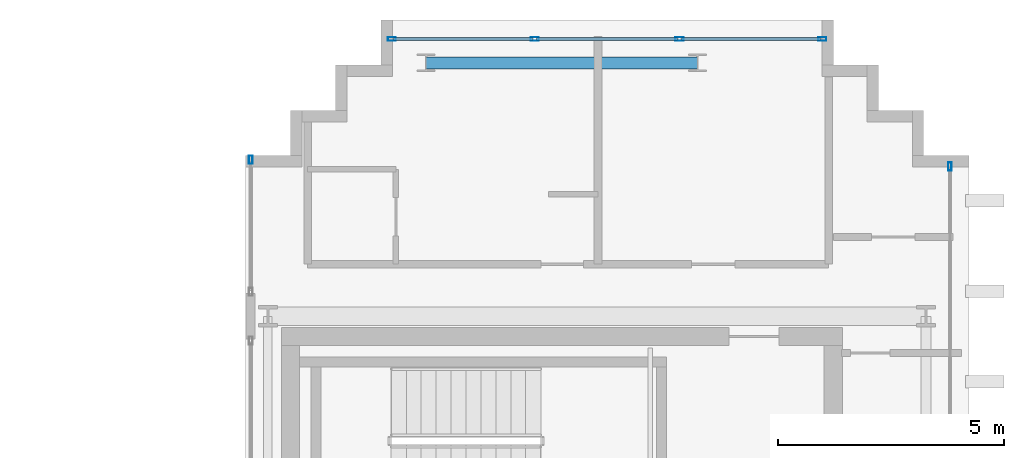
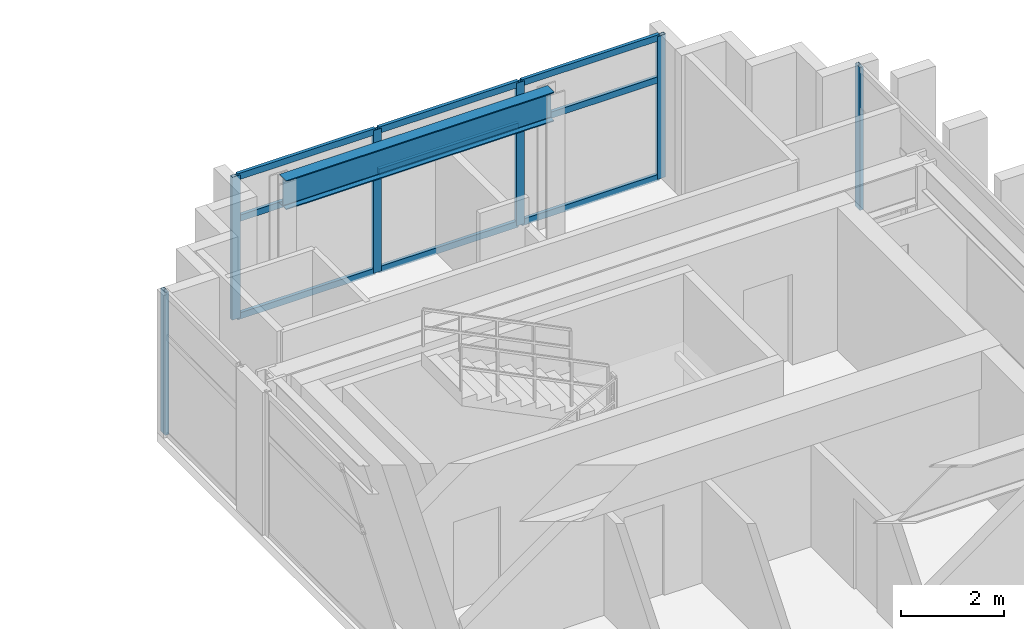
# One storey, part 17 of 25: 15 members, 1 beam, 3 elements without a shape of their own.
"""IFC4 building model written with IfcOpenShell, lengths in metres."""

from ifc_helpers import new_model, si_unit, direction, frame, origin, origin_2d, place, context, subcontext, project, spatial, hollow_rectangle, i_section, extrude, source, transform, mapped, material, layer, layer_set, material_profile, profile_set, type_object, element, aggregate, save


model = new_model("IFC4")

# Units and contexts
model_context = context("Model", 3, precision=1e-05, world=origin(), true_north=direction((0.0, 1.0)))
body_context = subcontext(model_context, "Body", "Model", "MODEL_VIEW")
ifc_project = project(units=[si_unit("LENGTHUNIT", "METRE"), si_unit("AREAUNIT", "SQUARE_METRE"), si_unit("VOLUMEUNIT", "CUBIC_METRE"), si_unit("PLANEANGLEUNIT", "RADIAN"), si_unit("MASSUNIT", "GRAM", prefix="KILO")], contexts=[model_context])

# Site, building, storey
site_placement = place(None, origin())
site = spatial("IfcSite", under=ifc_project, at=site_placement, CompositionType="ELEMENT")
building_placement = place(site_placement, origin())
building = spatial("IfcBuilding", under=site, at=building_placement, Name="Ocotamira Hotel", CompositionType="ELEMENT")
storey_placement = place(building_placement, frame((0.0, 0.0, 261.60009765625)))
storey = spatial("IfcBuildingStorey", under=building, at=storey_placement, Name="L66", CompositionType="ELEMENT", Elevation=261.60009765625)

# Beam
ifc_material_1 = material(Name="Steel ASTM A992 Grade 50", Category="steel")
ifc_material_profile_1 = material_profile(ifc_material_1, i_section(OverallWidth=0.256103515625, OverallDepth=0.693115234375, WebThickness=0.014404296875, FlangeThickness=0.023681640625, FilletRadius=0.01611328125, at=origin_2d()), Name="W27X114")
ifc_profile_set_1 = profile_set([ifc_material_profile_1], Name="Steel ASTM A992 Grade 50")
beam_type = type_object("IfcBeamType", Name="BM-PRIM-W27X114", PredefinedType="BEAM", material=ifc_profile_set_1)
shared_shape_1 = source(origin(), body_context, "Body", "SweptSolid", [
    extrude(i_section(OverallWidth=0.256103515625, OverallDepth=0.693115234375, WebThickness=0.014404296875, FlangeThickness=0.023681640625, FilletRadius=0.01611328125, at=origin_2d()), origin(), (0.0, 0.0, 1.0), 6.0),
])
beam_placement = place(storey_placement, frame((44.0, 43.050048828125, 3.033447265625), z_axis=(1.0, 0.0, 0.0), x_axis=(0.0, 1.0, 0.0)))
element("IfcBeam", 1, at=beam_placement, inside=storey, type_object=beam_type, Name="L66 Girder Y43.05 X44-50", PredefinedType="BEAM", context=body_context, shape_type="MappedRepresentation", body=[
    mapped(shared_shape_1, transform((0.0, 0.0, 0.0), scale=1.0)),
])

# Curtain wall, members
ifc_material_2 = material(Name="Anodised pale-metal aluminium and solar glass", Category="aluminium")
ifc_layer = layer(ifc_material_2, 0.2099609375)
ifc_layer_set = layer_set([ifc_layer], Name="Anodised pale-metal aluminium and solar glass")
curtain_wall_type = type_object("IfcCurtainWallType", Name="CW-SYS7-PEAK", PredefinedType="NOTDEFINED", material=ifc_layer_set)
curtain_wall_1_placement = place(storey_placement, origin())
curtain_wall_1 = element("IfcCurtainWall", 2, at=curtain_wall_1_placement, inside=storey, type_object=curtain_wall_type, Name="L66 Curtain Wall CW-7 CW-L66-EN", PredefinedType="NOTDEFINED")
ifc_material_3 = material(Name="Anodised pale-metal aluminium 6063-T6", Category="aluminium")
ifc_material_profile_2 = material_profile(ifc_material_3, hollow_rectangle(XDim=0.080078125, YDim=0.179931640625, WallThickness=0.006103515625, at=origin_2d()), Name="HSS180X80X6")
ifc_profile_set_2 = profile_set([ifc_material_profile_2], Name="Anodised pale-metal aluminium 6063-T6")
member_type_1 = type_object("IfcMemberType", Name="CWM-180X75", PredefinedType="MULLION", material=ifc_profile_set_2)
shared_shape_2 = source(origin(), body_context, "Body", "SweptSolid", [
    extrude(hollow_rectangle(XDim=0.080078125, YDim=0.179931640625, WallThickness=0.006103515625, at=origin_2d()), origin(), (0.0, 0.0, 1.0), 3.3798828125),
])
member_1_placement = place(storey_placement, frame((43.239990234375, 43.580078125, 0.0), z_axis=(0.0, 0.0, 1.0), x_axis=(0.0, 1.0, 0.0)))
member_1 = element("IfcMember", 3, at=member_1_placement, type_object=member_type_1, Name="CW-7 mullion 1", PredefinedType="MULLION", context=body_context, shape_type="MappedRepresentation", body=[
    mapped(shared_shape_2, transform((0.0, 0.0, 0.0), scale=1.0)),
])
member_2_placement = place(storey_placement, frame((46.39990234375, 43.580078125, 0.0), z_axis=(0.0, 0.0, 1.0), x_axis=(0.0, 1.0, 0.0)))
member_2 = element("IfcMember", 4, at=member_2_placement, type_object=member_type_1, Name="CW-7 mullion 2", PredefinedType="MULLION", context=body_context, shape_type="MappedRepresentation", body=[
    mapped(shared_shape_2, transform((0.0, 0.0, 0.0), scale=1.0)),
])
member_3_placement = place(storey_placement, frame((49.60009765625, 43.580078125, 0.0), z_axis=(0.0, 0.0, 1.0), x_axis=(0.0, 1.0, 0.0)))
member_3 = element("IfcMember", 5, at=member_3_placement, type_object=member_type_1, Name="CW-7 mullion 3", PredefinedType="MULLION", context=body_context, shape_type="MappedRepresentation", body=[
    mapped(shared_shape_2, transform((0.0, 0.0, 0.0), scale=1.0)),
])
member_4_placement = place(storey_placement, frame((52.760009765625, 43.580078125, 0.0), z_axis=(0.0, 0.0, 1.0), x_axis=(0.0, 1.0, 0.0)))
member_4 = element("IfcMember", 6, at=member_4_placement, type_object=member_type_1, Name="CW-7 mullion 4", PredefinedType="MULLION", context=body_context, shape_type="MappedRepresentation", body=[
    mapped(shared_shape_2, transform((0.0, 0.0, 0.0), scale=1.0)),
])

# Curtain wall, member
curtain_wall_2_placement = place(storey_placement, origin())
curtain_wall_2 = element("IfcCurtainWall", 7, at=curtain_wall_2_placement, inside=storey, type_object=curtain_wall_type, Name="L66 Curtain Wall CW-7 CW-L66-EO2", PredefinedType="NOTDEFINED")
member_5_placement = place(storey_placement, frame((55.580078125, 40.760009765625, 0.0), z_axis=(0.0, 0.0, 1.0), x_axis=(-1.0, 0.0, 0.0)))
member_5 = element("IfcMember", 8, at=member_5_placement, type_object=member_type_1, Name="CW-7 mullion 3", PredefinedType="MULLION", context=body_context, shape_type="MappedRepresentation", body=[
    mapped(shared_shape_2, transform((0.0, 0.0, 0.0), scale=1.0)),
])
aggregate(curtain_wall_2, [member_5])

curtain_wall_3_placement = place(storey_placement, origin())
curtain_wall_3 = element("IfcCurtainWall", 9, at=curtain_wall_3_placement, inside=storey, type_object=curtain_wall_type, Name="L66 Curtain Wall CW-7 CW-L66-EI4", PredefinedType="NOTDEFINED")
member_6_placement = place(storey_placement, frame((40.1201171875, 40.909912109375, 0.0), z_axis=(0.0, 0.0, 1.0), x_axis=(-1.0, 0.0, 0.0)))
member_6 = element("IfcMember", 10, at=member_6_placement, type_object=member_type_1, Name="CW-7 mullion 2", PredefinedType="MULLION", context=body_context, shape_type="MappedRepresentation", body=[
    mapped(shared_shape_2, transform((0.0, 0.0, 0.0), scale=1.0)),
])
aggregate(curtain_wall_3, [member_6])

# Member
ifc_material_profile_3 = material_profile(ifc_material_3, hollow_rectangle(XDim=0.074951171875, YDim=0.14990234375, WallThickness=0.006103515625, at=origin_2d()), Name="HSS150X75X6")
ifc_profile_set_3 = profile_set([ifc_material_profile_3], Name="Anodised pale-metal aluminium 6063-T6")
member_type_2 = type_object("IfcMemberType", Name="CWT-150X75", PredefinedType="USERDEFINED", material=ifc_profile_set_3)
shared_shape_3 = source(origin(), body_context, "Body", "SweptSolid", [
    extrude(hollow_rectangle(XDim=0.074951171875, YDim=0.14990234375, WallThickness=0.006103515625, at=origin_2d()), origin(), (0.0, 0.0, 1.0), 3.080078125),
])
member_7_placement = place(storey_placement, frame((43.280029296875, 43.580078125, 0.037353515625), z_axis=(1.0, 0.0, 0.0), x_axis=(0.0, 1.0, 0.0)))
member_7 = element("IfcMember", 11, at=member_7_placement, type_object=member_type_2, Name="CW-7 transom 1.1", ObjectType="TRANSOM", PredefinedType="USERDEFINED", context=body_context, shape_type="MappedRepresentation", body=[
    mapped(shared_shape_3, transform((0.0, 0.0, 0.0), scale=1.0)),
])

member_8_placement = place(storey_placement, frame((43.280029296875, 43.580078125, 2.349853515625), z_axis=(1.0, 0.0, 0.0), x_axis=(0.0, 1.0, 0.0)))
member_8 = element("IfcMember", 12, at=member_8_placement, type_object=member_type_2, Name="CW-7 transom 1.2", ObjectType="TRANSOM", PredefinedType="USERDEFINED", context=body_context, shape_type="MappedRepresentation", body=[
    mapped(shared_shape_3, transform((0.0, 0.0, 0.0), scale=1.0)),
])

member_9_placement = place(storey_placement, frame((43.280029296875, 43.580078125, 3.34228515625), z_axis=(1.0, 0.0, 0.0), x_axis=(0.0, 1.0, 0.0)))
member_9 = element("IfcMember", 13, at=member_9_placement, type_object=member_type_2, Name="CW-7 transom 1.3", ObjectType="TRANSOM", PredefinedType="USERDEFINED", context=body_context, shape_type="MappedRepresentation", body=[
    mapped(shared_shape_3, transform((0.0, 0.0, 0.0), scale=1.0)),
])

member_10_placement = place(storey_placement, frame((49.639892578125, 43.580078125, 0.037353515625), z_axis=(1.0, 0.0, 0.0), x_axis=(0.0, 1.0, 0.0)))
member_10 = element("IfcMember", 14, at=member_10_placement, type_object=member_type_2, Name="CW-7 transom 3.1", ObjectType="TRANSOM", PredefinedType="USERDEFINED", context=body_context, shape_type="MappedRepresentation", body=[
    mapped(shared_shape_3, transform((0.0, 0.0, 0.0), scale=1.0)),
])

member_11_placement = place(storey_placement, frame((49.639892578125, 43.580078125, 2.349853515625), z_axis=(1.0, 0.0, 0.0), x_axis=(0.0, 1.0, 0.0)))
member_11 = element("IfcMember", 15, at=member_11_placement, type_object=member_type_2, Name="CW-7 transom 3.2", ObjectType="TRANSOM", PredefinedType="USERDEFINED", context=body_context, shape_type="MappedRepresentation", body=[
    mapped(shared_shape_3, transform((0.0, 0.0, 0.0), scale=1.0)),
])

member_12_placement = place(storey_placement, frame((49.639892578125, 43.580078125, 3.34228515625), z_axis=(1.0, 0.0, 0.0), x_axis=(0.0, 1.0, 0.0)))
member_12 = element("IfcMember", 16, at=member_12_placement, type_object=member_type_2, Name="CW-7 transom 3.3", ObjectType="TRANSOM", PredefinedType="USERDEFINED", context=body_context, shape_type="MappedRepresentation", body=[
    mapped(shared_shape_3, transform((0.0, 0.0, 0.0), scale=1.0)),
])

shared_shape_4 = source(origin(), body_context, "Body", "SweptSolid", [
    extrude(hollow_rectangle(XDim=0.074951171875, YDim=0.14990234375, WallThickness=0.006103515625, at=origin_2d()), origin(), (0.0, 0.0, 1.0), 3.1201171875),
])
member_13_placement = place(storey_placement, frame((46.43994140625, 43.580078125, 0.037353515625), z_axis=(1.0, 0.0, 0.0), x_axis=(0.0, 1.0, 0.0)))
member_13 = element("IfcMember", 17, at=member_13_placement, type_object=member_type_2, Name="CW-7 transom 2.1", ObjectType="TRANSOM", PredefinedType="USERDEFINED", context=body_context, shape_type="MappedRepresentation", body=[
    mapped(shared_shape_4, transform((0.0, 0.0, 0.0), scale=1.0)),
])

member_14_placement = place(storey_placement, frame((46.43994140625, 43.580078125, 2.349853515625), z_axis=(1.0, 0.0, 0.0), x_axis=(0.0, 1.0, 0.0)))
member_14 = element("IfcMember", 18, at=member_14_placement, type_object=member_type_2, Name="CW-7 transom 2.2", ObjectType="TRANSOM", PredefinedType="USERDEFINED", context=body_context, shape_type="MappedRepresentation", body=[
    mapped(shared_shape_4, transform((0.0, 0.0, 0.0), scale=1.0)),
])

member_15_placement = place(storey_placement, frame((46.43994140625, 43.580078125, 3.34228515625), z_axis=(1.0, 0.0, 0.0), x_axis=(0.0, 1.0, 0.0)))
member_15 = element("IfcMember", 19, at=member_15_placement, type_object=member_type_2, Name="CW-7 transom 2.3", ObjectType="TRANSOM", PredefinedType="USERDEFINED", context=body_context, shape_type="MappedRepresentation", body=[
    mapped(shared_shape_4, transform((0.0, 0.0, 0.0), scale=1.0)),
])

aggregate(curtain_wall_1, [member_1, member_2, member_3, member_4, member_7, member_8, member_9, member_13, member_14, member_15, member_10, member_11, member_12])

save(model, "model.ifc")
